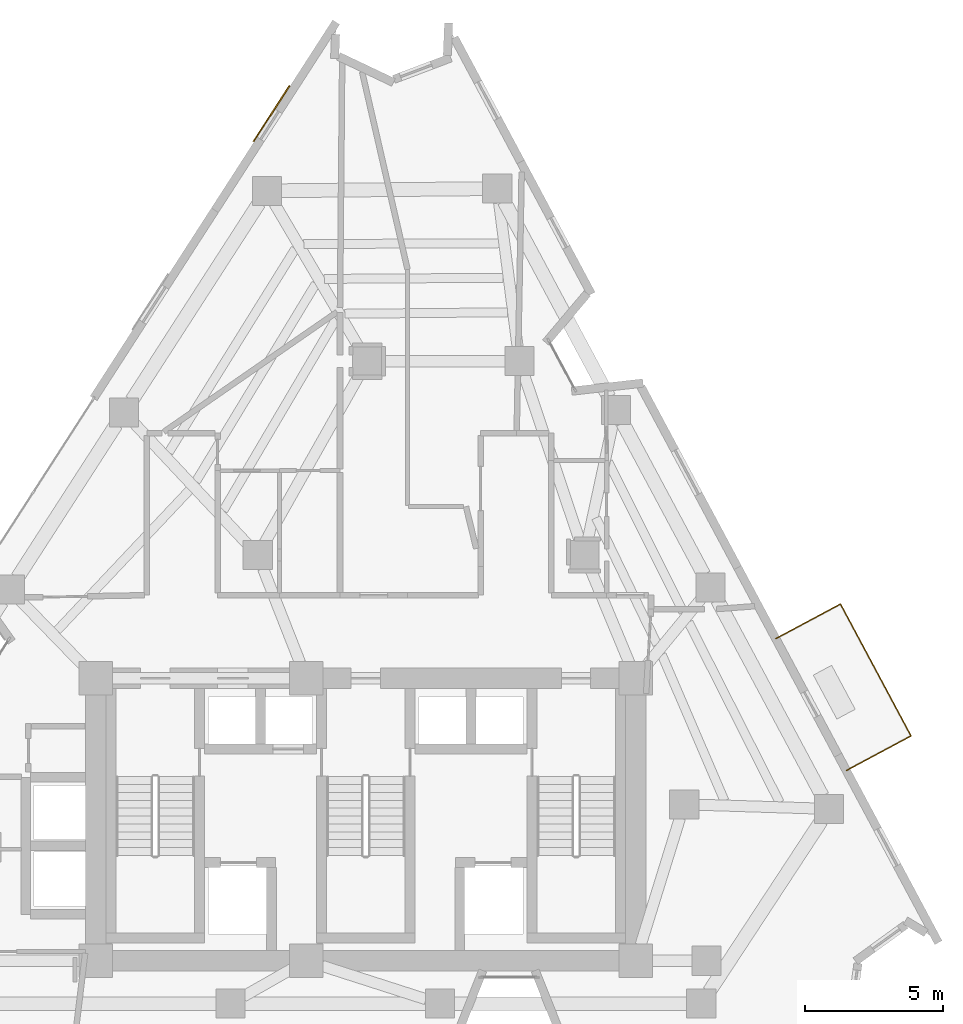
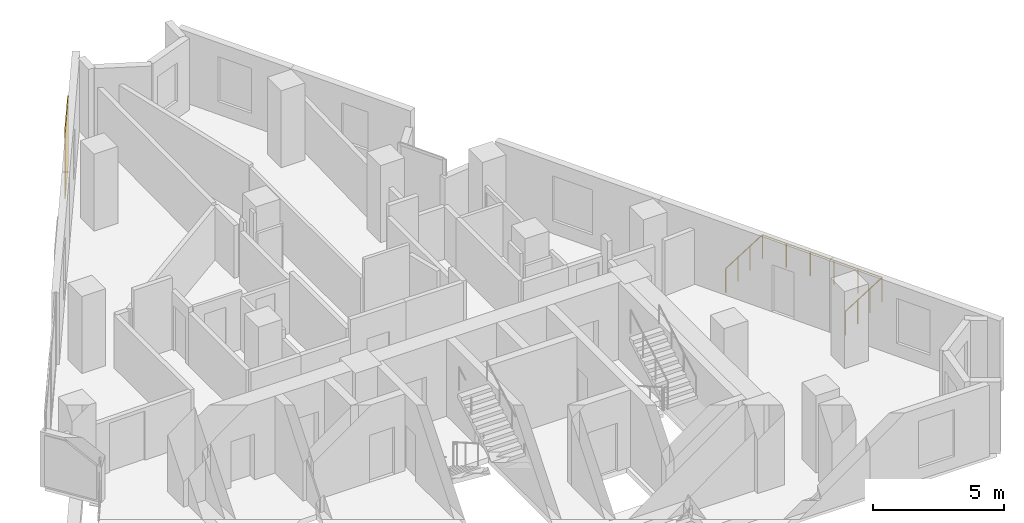
# One storey, part 11 of 11: 1 covering, 1 railing.
"""IFC4 building model written with IfcOpenShell, lengths in metres."""

from ifc_helpers import new_model, si_unit, direction, frame, origin, origin_2d, place, context, subcontext, project, spatial, rectangle, circle, extrude, material, layer, layer_set, type_object, element, save


model = new_model("IFC4")

# Units and contexts
model_context = context("Model", 3, precision=1e-05, world=origin(), true_north=direction((0.0, 1.0)))
body_context = subcontext(model_context, "Body", "Model", "MODEL_VIEW")
ifc_project = project(units=[si_unit("LENGTHUNIT", "METRE"), si_unit("AREAUNIT", "SQUARE_METRE"), si_unit("VOLUMEUNIT", "CUBIC_METRE"), si_unit("PLANEANGLEUNIT", "RADIAN"), si_unit("MASSUNIT", "GRAM", prefix="KILO")], contexts=[model_context])

# Site, building, storey
site_placement = place(None, origin())
site = spatial("IfcSite", under=ifc_project, at=site_placement, CompositionType="ELEMENT")
building_placement = place(site_placement, origin())
building = spatial("IfcBuilding", under=site, at=building_placement, Name="Almagre Mirador Tower", CompositionType="ELEMENT")
storey_placement = place(building_placement, frame((0.0, 0.0, 189.60009765625)))
storey = spatial("IfcBuildingStorey", under=building, at=storey_placement, Name="L49", CompositionType="ELEMENT", Elevation=189.60009765625)

# Covering
ifc_material_1 = material(Name="Almagre terracotta architectural cladding", Category="masonry")
ifc_layer = layer(ifc_material_1, 0.044921875)
ifc_layer_set = layer_set([ifc_layer], Name="Almagre terracotta architectural cladding")
covering_type = type_object("IfcCoveringType", Name="COV-CLAD-ALMAGRE", PredefinedType="CLADDING", material=ifc_layer_set)
covering_placement = place(storey_placement, frame((33.897705078125, 35.137939453125, 0.099853515625), z_axis=(0.0, 0.0, 1.0), x_axis=(0.542016257641, 0.840368000612, 0.0)))
element("IfcCovering", 1, at=covering_placement, inside=storey, type_object=covering_type, Name="L49 almagre terracotta pier cladding", PredefinedType="CLADDING", context=body_context, shape_type="SweptSolid", body=[
    extrude(rectangle(XDim=2.39990234375, YDim=0.044921875, at=origin_2d()), origin(), (0.0, 0.0, 1.0), 3.14990234375),
])

# Railing
ifc_material_2 = material(Name="Black anodized aluminium", Category="aluminium")
railing_type = type_object("IfcRailingType", Name="RLG-BAL-1150", PredefinedType="BALUSTRADE", material=ifc_material_2)
railing_placement = place(storey_placement, frame((54.654052734375, 11.4189453125, 0.0)))
element("IfcRailing", 2, at=railing_placement, inside=storey, type_object=railing_type, Name="L49 east balcony balustrade 1", PredefinedType="BALUSTRADE", context=body_context, shape_type="SweptSolid", body=[
    extrude(circle(Radius=0.02392578125, at=origin_2d()), frame((0.0, 0.0, 1.1259765625), z_axis=(0.88169906434, 0.471812208343, 0.0), x_axis=(-0.471812208343, 0.88169906434, 0.0)), (0.0, 0.0, 1.0), 2.6494140625),
    extrude(circle(Radius=0.02392578125, at=origin_2d()), frame((2.3359375, 1.25, 1.1259765625), z_axis=(-0.471620367983, 0.881801694546, 0.0), x_axis=(-0.881801694546, -0.471620367983, 0.0)), (0.0, 0.0, 1.0), 5.400146484375),
    extrude(circle(Radius=0.02392578125, at=origin_2d()), frame((-0.2109375, 6.011962890625, 1.1259765625), z_axis=(-0.88180156885, -0.471620602999, 0.0), x_axis=(0.471620602999, -0.88180156885, 0.0)), (0.0, 0.0, 1.0), 2.650390625),
    extrude(circle(Radius=0.02099609375, at=origin_2d()), origin(), (0.0, 0.0, 1.0), 1.101806640625),
    extrude(circle(Radius=0.02099609375, at=origin_2d()), frame((0.778564453125, 0.416748046875, 0.0)), (0.0, 0.0, 1.0), 1.101806640625),
    extrude(circle(Radius=0.02099609375, at=origin_2d()), frame((1.557373046875, 0.833251953125, 0.0)), (0.0, 0.0, 1.0), 1.101806640625),
    extrude(circle(Radius=0.02099609375, at=origin_2d()), frame((2.3359375, 1.25, 0.0)), (0.0, 0.0, 1.0), 1.101806640625),
    extrude(circle(Radius=0.02099609375, at=origin_2d()), frame((1.82666015625, 2.202392578125, 0.0)), (0.0, 0.0, 1.0), 1.101806640625),
    extrude(circle(Radius=0.02099609375, at=origin_2d()), frame((1.317138671875, 3.15478515625, 0.0)), (0.0, 0.0, 1.0), 1.101806640625),
    extrude(circle(Radius=0.02099609375, at=origin_2d()), frame((0.807861328125, 4.107177734375, 0.0)), (0.0, 0.0, 1.0), 1.101806640625),
    extrude(circle(Radius=0.02099609375, at=origin_2d()), frame((0.29833984375, 5.0595703125, 0.0)), (0.0, 0.0, 1.0), 1.101806640625),
    extrude(circle(Radius=0.02099609375, at=origin_2d()), frame((-0.2109375, 6.011962890625, 0.0)), (0.0, 0.0, 1.0), 1.101806640625),
    extrude(circle(Radius=0.02099609375, at=origin_2d()), frame((-0.989990234375, 5.59521484375, 0.0)), (0.0, 0.0, 1.0), 1.101806640625),
    extrude(circle(Radius=0.02099609375, at=origin_2d()), frame((-1.76904296875, 5.1787109375, 0.0)), (0.0, 0.0, 1.0), 1.101806640625),
    extrude(circle(Radius=0.02099609375, at=origin_2d()), frame((-2.548095703125, 4.761962890625, 0.0)), (0.0, 0.0, 1.0), 1.101806640625),
])

save(model, "model.ifc")
